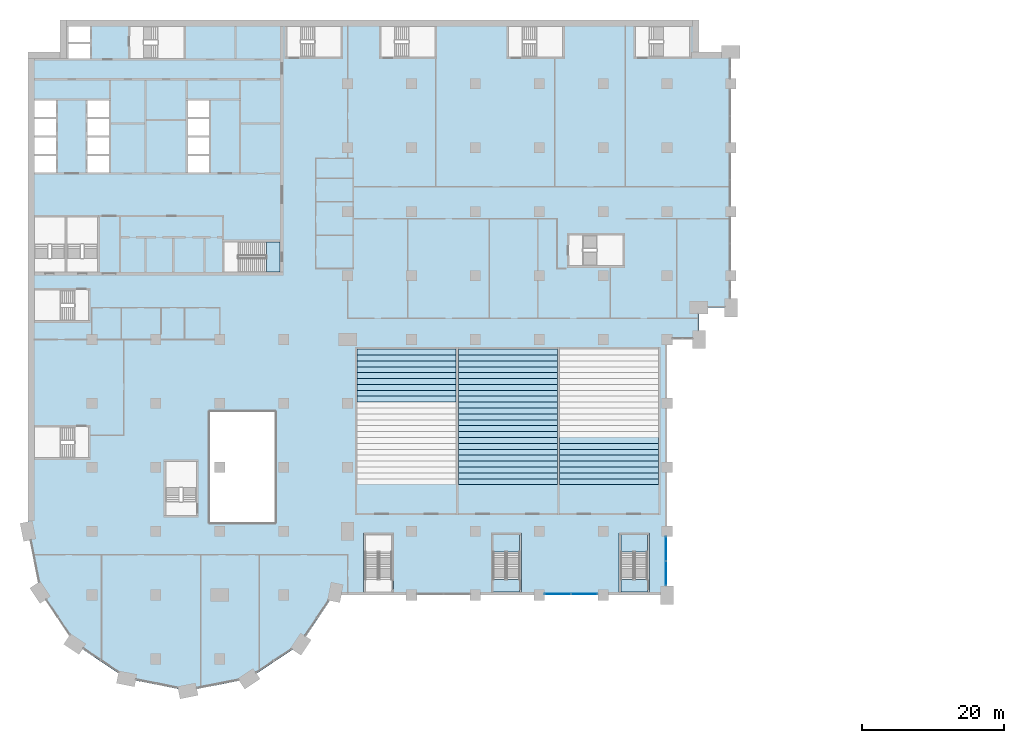
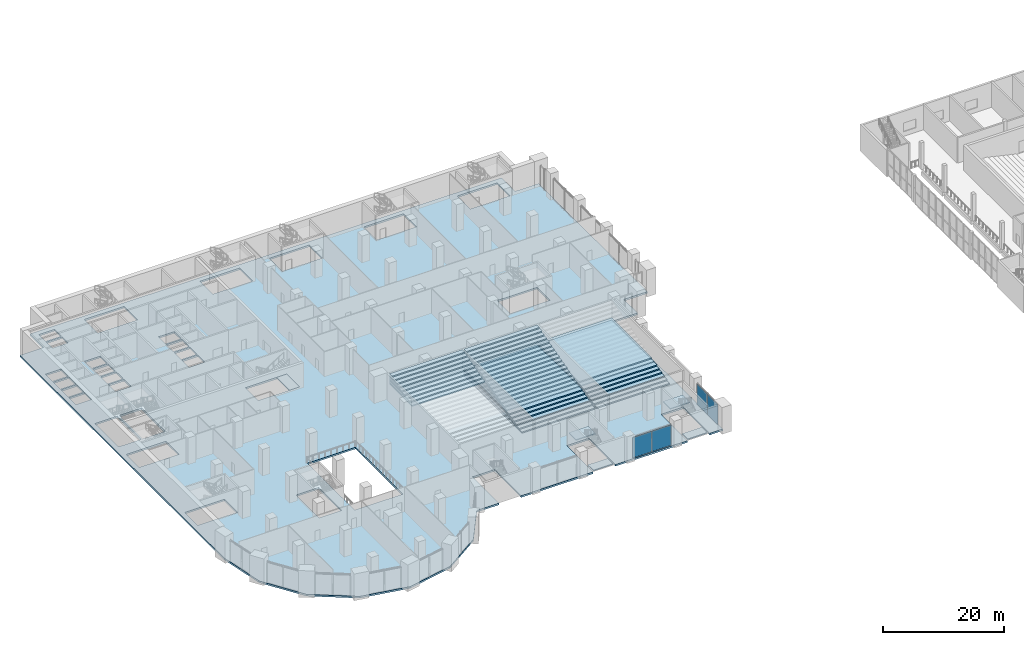
# One storey, part 11 of 44: 46 slabs, 4 plates, 4 elements without a shape of their own.
"""IFC4 building model written with IfcOpenShell, lengths in metres."""

from ifc_helpers import new_model, si_unit, direction, frame, origin, origin_2d, place, context, subcontext, project, spatial, polyline, rectangle, outline, extrude, material, layer, layer_set, type_object, element, aggregate, save


model = new_model("IFC4")

# Units and contexts
model_context = context("Model", 3, precision=1e-05, world=origin(), true_north=direction((0.0, 1.0)))
body_context = subcontext(model_context, "Body", "Model", "MODEL_VIEW")
ifc_project = project(units=[si_unit("LENGTHUNIT", "METRE"), si_unit("AREAUNIT", "SQUARE_METRE"), si_unit("VOLUMEUNIT", "CUBIC_METRE"), si_unit("PLANEANGLEUNIT", "RADIAN"), si_unit("MASSUNIT", "GRAM", prefix="KILO")], contexts=[model_context])

# Site, building, storey
site_placement = place(None, origin())
site = spatial("IfcSite", under=ifc_project, at=site_placement, CompositionType="ELEMENT")
building_placement = place(site_placement, origin())
building = spatial("IfcBuilding", under=site, at=building_placement, Name="Hunhe Ridgeline Campus", CompositionType="ELEMENT")
storey_placement = place(building_placement, frame((0.0, 0.0, 6.0)))
storey = spatial("IfcBuildingStorey", under=building, at=storey_placement, Name="L01", CompositionType="ELEMENT", Elevation=6.0)

# Curtain wall, plates
ifc_material_1 = material(Name="Aluminium and glass", Category="aluminium")
curtain_wall_type = type_object("IfcCurtainWallType", Name="Podium curtain wall CW-2", PredefinedType="NOTDEFINED", material=ifc_material_1)
curtain_wall_1_placement = place(storey_placement, origin())
curtain_wall_1 = element("IfcCurtainWall", 1, at=curtain_wall_1_placement, inside=storey, type_object=curtain_wall_type, Name="L01 podium curtain wall 19", PredefinedType="NOTDEFINED")
ifc_material_2 = material(Name="Clear glass", Category="glass")
ifc_layer_1 = layer(ifc_material_2, 0.028076171875)
ifc_layer_set_1 = layer_set([ifc_layer_1], Name="CW-2 clear glass panel 28")
plate_type = type_object("IfcPlateType", Name="CW-2 clear glass panel 28", PredefinedType="CURTAIN_PANEL", material=ifc_layer_set_1)
plate_1_placement = place(storey_placement, frame((74.639892578125, 18.14990234375, 0.06005859375), z_axis=(0.0, 0.0, 1.0), x_axis=(1.0, 0.0, 0.0)))
plate_1 = element("IfcPlate", 2, at=plate_1_placement, type_object=plate_type, Name="CW2 panel 1.1", PredefinedType="CURTAIN_PANEL", context=body_context, shape_type="SweptSolid", body=[
    extrude(rectangle(XDim=3.659912109375, YDim=0.028076171875, at=origin_2d()), origin(), (0.0, 0.0, 1.0), 4.1298828125),
])
plate_2_placement = place(storey_placement, frame((78.360107421875, 18.14990234375, 0.06005859375), z_axis=(0.0, 0.0, 1.0), x_axis=(1.0, 0.0, 0.0)))
plate_2 = element("IfcPlate", 3, at=plate_2_placement, type_object=plate_type, Name="CW2 panel 2.1", PredefinedType="CURTAIN_PANEL", context=body_context, shape_type="SweptSolid", body=[
    extrude(rectangle(XDim=3.659912109375, YDim=0.028076171875, at=origin_2d()), origin(), (0.0, 0.0, 1.0), 4.1298828125),
])
aggregate(curtain_wall_1, [plate_1, plate_2])

curtain_wall_2_placement = place(storey_placement, origin())
curtain_wall_2 = element("IfcCurtainWall", 4, at=curtain_wall_2_placement, inside=storey, type_object=curtain_wall_type, Name="L01 podium curtain wall 21", PredefinedType="NOTDEFINED")
plate_3_placement = place(storey_placement, frame((89.85009765625, 21.052490234375, 0.06005859375), z_axis=(0.0, 0.0, 1.0), x_axis=(0.0, 1.0, 0.0)))
plate_3 = element("IfcPlate", 5, at=plate_3_placement, type_object=plate_type, Name="CW2 panel 1.1", PredefinedType="CURTAIN_PANEL", context=body_context, shape_type="SweptSolid", body=[
    extrude(rectangle(XDim=3.385009765625, YDim=0.028076171875, at=origin_2d()), origin(), (0.0, 0.0, 1.0), 4.1298828125),
])
plate_4_placement = place(storey_placement, frame((89.85009765625, 24.49755859375, 0.06005859375), z_axis=(0.0, 0.0, 1.0), x_axis=(0.0, 1.0, 0.0)))
plate_4 = element("IfcPlate", 6, at=plate_4_placement, type_object=plate_type, Name="CW2 panel 2.1", PredefinedType="CURTAIN_PANEL", context=body_context, shape_type="SweptSolid", body=[
    extrude(rectangle(XDim=3.385009765625, YDim=0.028076171875, at=origin_2d()), origin(), (0.0, 0.0, 1.0), 4.1298828125),
])
aggregate(curtain_wall_2, [plate_3, plate_4])

# Slab
ifc_material_3 = material(Name="Concrete C40", Category="concrete")
ifc_layer_2 = layer(ifc_material_3, 0.35009765625)
ifc_layer_set_2 = layer_set([ifc_layer_2], Name="Podium floor slab 350 C40")
slab_type_1 = type_object("IfcSlabType", Name="Podium floor slab 350 C40", PredefinedType="FLOOR", material=ifc_layer_set_2)
slab_1_placement = place(storey_placement, frame((0.0, 0.0, -0.35009765625)))
element("IfcSlab", 7, at=slab_1_placement, inside=storey, type_object=slab_type_1, Name="L01 floor slab 1", PredefinedType="FLOOR", context=body_context, shape_type="SweptSolid", body=[
    extrude(outline(polyline([(90.0, 18.0), (90.0, 54.0), (94.5, 54.0), (94.5, 58.5), (99.0, 58.5), (99.0, 94.5), (94.5, 94.5), (94.5, 99.0), (4.5, 99.0), (4.5, 94.5), (0.0, 94.5), (0.0, 27.0), (1.712646484375, 18.3896484375), (6.590087890625, 11.090087890625), (13.8896484375, 6.212646484375), (22.5, 4.5), (31.1103515625, 6.212646484375), (38.409912109375, 11.090087890625), (43.027099609375, 18.0), (47.25, 18.0), (47.25, 26.75), (51.5, 26.75), (51.5, 18.0), (65.25, 18.0), (65.25, 26.75), (69.5, 26.75), (69.5, 18.0), (83.25, 18.0), (83.25, 26.75), (87.5, 26.75), (87.5, 18.0), (90.0, 18.0)]), holes=[polyline([(0.89990234375, 41.64990234375), (0.89990234375, 37.35009765625), (8.5, 37.35009765625), (8.5, 41.64990234375), (0.89990234375, 41.64990234375)]), polyline([(8.5, 60.949951171875), (0.89990234375, 60.949951171875), (0.89990234375, 56.64990234375), (8.5, 56.64990234375), (8.5, 60.949951171875)]), polyline([(5.199951171875, 63.5), (5.199951171875, 71.25), (0.89990234375, 71.25), (0.89990234375, 63.5), (5.199951171875, 63.5)]), polyline([(9.800048828125, 63.5), (9.800048828125, 71.25), (5.5, 71.25), (5.5, 63.5), (9.800048828125, 63.5)]), polyline([(0.89990234375, 77.550048828125), (3.89990234375, 77.550048828125), (3.89990234375, 79.85009765625), (0.89990234375, 79.85009765625), (0.89990234375, 77.550048828125)]), polyline([(8.39990234375, 77.550048828125), (11.39990234375, 77.550048828125), (11.39990234375, 79.85009765625), (8.39990234375, 79.85009765625), (8.39990234375, 77.550048828125)]), polyline([(0.89990234375, 80.14990234375), (3.89990234375, 80.14990234375), (3.89990234375, 82.449951171875), (0.89990234375, 82.449951171875), (0.89990234375, 80.14990234375)]), polyline([(8.39990234375, 80.14990234375), (11.39990234375, 80.14990234375), (11.39990234375, 82.449951171875), (8.39990234375, 82.449951171875), (8.39990234375, 80.14990234375)]), polyline([(0.89990234375, 82.75), (3.89990234375, 82.75), (3.89990234375, 85.050048828125), (0.89990234375, 85.050048828125), (0.89990234375, 82.75)]), polyline([(8.39990234375, 82.75), (11.39990234375, 82.75), (11.39990234375, 85.050048828125), (8.39990234375, 85.050048828125), (8.39990234375, 82.75)]), polyline([(0.89990234375, 85.35009765625), (3.89990234375, 85.35009765625), (3.89990234375, 87.64990234375), (0.89990234375, 87.64990234375), (0.89990234375, 85.35009765625)]), polyline([(8.39990234375, 85.35009765625), (11.39990234375, 85.35009765625), (11.39990234375, 87.64990234375), (8.39990234375, 87.64990234375), (8.39990234375, 85.35009765625)]), polyline([(5.699951171875, 93.60009765625), (8.699951171875, 93.60009765625), (8.699951171875, 95.60009765625), (5.699951171875, 95.60009765625), (5.699951171875, 93.60009765625)]), polyline([(14.35009765625, 93.60009765625), (21.949951171875, 93.60009765625), (21.949951171875, 98.10009765625), (14.35009765625, 98.10009765625), (14.35009765625, 93.60009765625)]), polyline([(5.699951171875, 95.89990234375), (8.699951171875, 95.89990234375), (8.699951171875, 98.10009765625), (5.699951171875, 98.10009765625), (5.699951171875, 95.89990234375)]), polyline([(23.699951171875, 29.199951171875), (23.699951171875, 36.800048828125), (19.39990234375, 36.800048828125), (19.39990234375, 29.199951171875), (23.699951171875, 29.199951171875)]), polyline([(25.60009765625, 28.199951171875), (34.800048828125, 28.199951171875), (34.800048828125, 43.800048828125), (25.60009765625, 43.800048828125), (25.60009765625, 28.199951171875)]), polyline([(35.5, 67.75), (27.60009765625, 67.75), (27.60009765625, 63.5), (35.5, 63.5), (35.5, 67.75)]), polyline([(76.199951171875, 64.39990234375), (83.800048828125, 64.39990234375), (83.800048828125, 68.699951171875), (76.199951171875, 68.699951171875), (76.199951171875, 64.39990234375)]), polyline([(22.5, 77.550048828125), (25.5, 77.550048828125), (25.5, 79.85009765625), (22.5, 79.85009765625), (22.5, 77.550048828125)]), polyline([(22.5, 80.14990234375), (25.5, 80.14990234375), (25.5, 82.449951171875), (22.5, 82.449951171875), (22.5, 80.14990234375)]), polyline([(22.5, 82.75), (25.5, 82.75), (25.5, 85.050048828125), (22.5, 85.050048828125), (22.5, 82.75)]), polyline([(22.5, 85.35009765625), (25.5, 85.35009765625), (25.5, 87.64990234375), (22.5, 87.64990234375), (22.5, 85.35009765625)]), polyline([(36.449951171875, 93.800048828125), (44.050048828125, 93.800048828125), (44.050048828125, 98.10009765625), (36.449951171875, 98.10009765625), (36.449951171875, 93.800048828125)]), polyline([(49.699951171875, 93.800048828125), (57.300048828125, 93.800048828125), (57.300048828125, 98.10009765625), (49.699951171875, 98.10009765625), (49.699951171875, 93.800048828125)]), polyline([(67.699951171875, 93.800048828125), (75.300048828125, 93.800048828125), (75.300048828125, 98.10009765625), (67.699951171875, 98.10009765625), (67.699951171875, 93.800048828125)]), polyline([(85.550048828125, 93.800048828125), (93.14990234375, 93.800048828125), (93.14990234375, 98.10009765625), (85.550048828125, 98.10009765625), (85.550048828125, 93.800048828125)])]), origin(), (0.0, 0.0, 1.0), 0.35009765625),
])

# Stair, slabs
stair_type = type_object("IfcStairType", Name="Podium exit stair 1800", PredefinedType="HALF_TURN_STAIR", material=ifc_material_3)
stair_1_placement = place(storey_placement, origin())
stair_1 = element("IfcStair", 8, at=stair_1_placement, inside=storey, type_object=stair_type, Name="L01 podium stair PS2", PredefinedType="HALF_TURN_STAIR")
ifc_layer_3 = layer(ifc_material_3, 0.199951171875)
ifc_layer_set_3 = layer_set([ifc_layer_3], Name="Podium stair landing 200 C40")
slab_type_2 = type_object("IfcSlabType", Name="Podium stair landing 200 C40", PredefinedType="LANDING", material=ifc_layer_set_3)
slab_2_placement = place(storey_placement, frame((0.0, 0.0, 2.5)))
slab_2 = element("IfcSlab", 9, at=slab_2_placement, type_object=slab_type_2, Name="PS2 landing 1", PredefinedType="LANDING", context=body_context, shape_type="SweptSolid", body=[
    extrude(outline(polyline([(69.25, 24.10009765625), (69.25, 26.5), (65.5, 26.5), (65.5, 24.10009765625), (69.25, 24.10009765625)])), origin(), (0.0, 0.0, 1.0), 0.199951171875),
])
slab_3_placement = place(storey_placement, frame((0.0, 0.0, -0.199951171875)))
slab_3 = element("IfcSlab", 10, at=slab_3_placement, type_object=slab_type_2, Name="PS2 landing 2", PredefinedType="LANDING", context=body_context, shape_type="SweptSolid", body=[
    extrude(outline(polyline([(65.5, 18.39990234375), (69.25, 18.39990234375), (69.25, 20.199951171875), (65.5, 20.199951171875), (65.5, 18.39990234375)])), origin(), (0.0, 0.0, 1.0), 0.199951171875),
])
aggregate(stair_1, [slab_2, slab_3])

stair_2_placement = place(storey_placement, origin())
stair_2 = element("IfcStair", 11, at=stair_2_placement, inside=storey, type_object=stair_type, Name="L01 podium stair PS3", PredefinedType="HALF_TURN_STAIR")
slab_4_placement = place(storey_placement, frame((0.0, 0.0, 2.5)))
slab_4 = element("IfcSlab", 12, at=slab_4_placement, type_object=slab_type_2, Name="PS3 landing 1", PredefinedType="LANDING", context=body_context, shape_type="SweptSolid", body=[
    extrude(outline(polyline([(87.25, 24.10009765625), (87.25, 26.5), (83.5, 26.5), (83.5, 24.10009765625), (87.25, 24.10009765625)])), origin(), (0.0, 0.0, 1.0), 0.199951171875),
])
slab_5_placement = place(storey_placement, frame((0.0, 0.0, -0.199951171875)))
slab_5 = element("IfcSlab", 13, at=slab_5_placement, type_object=slab_type_2, Name="PS3 landing 2", PredefinedType="LANDING", context=body_context, shape_type="SweptSolid", body=[
    extrude(outline(polyline([(83.5, 18.39990234375), (87.25, 18.39990234375), (87.25, 20.199951171875), (83.5, 20.199951171875), (83.5, 18.39990234375)])), origin(), (0.0, 0.0, 1.0), 0.199951171875),
])
aggregate(stair_2, [slab_4, slab_5])

# Slabs
ifc_layer_4 = layer(ifc_material_3, 0.235107421875)
ifc_layer_set_4 = layer_set([ifc_layer_4], Name="Raked seating tier platform C40")
slab_type_3 = type_object("IfcSlabType", Name="Raked seating tier platform C40", PredefinedType="FLOOR", material=ifc_layer_set_4)
slab_6_placement = place(storey_placement, frame((0.0, 0.0, 3.287109375)))
element("IfcSlab", 14, at=slab_6_placement, inside=storey, type_object=slab_type_3, Name="Lecture Hall A seating tier platform 15", PredefinedType="FLOOR", context=body_context, shape_type="SweptSolid", body=[
    extrude(outline(polyline([(46.35009765625, 45.176025390625), (60.300048828125, 45.176025390625), (60.300048828125, 52.64990234375), (46.35009765625, 52.64990234375), (46.35009765625, 45.176025390625)])), origin(), (0.0, 0.0, 1.0), 0.234619140625),
])
slab_7_placement = place(storey_placement, frame((0.0, 0.0, 3.521728515625)))
element("IfcSlab", 15, at=slab_7_placement, inside=storey, type_object=slab_type_3, Name="Lecture Hall A seating tier platform 16", PredefinedType="FLOOR", context=body_context, shape_type="SweptSolid", body=[
    extrude(outline(polyline([(46.35009765625, 46.006591796875), (60.300048828125, 46.006591796875), (60.300048828125, 52.64990234375), (46.35009765625, 52.64990234375), (46.35009765625, 46.006591796875)])), origin(), (0.0, 0.0, 1.0), 0.23486328125),
])
slab_8_placement = place(storey_placement, frame((0.0, 0.0, 3.756591796875)))
element("IfcSlab", 16, at=slab_8_placement, inside=storey, type_object=slab_type_3, Name="Lecture Hall A seating tier platform 17", PredefinedType="FLOOR", context=body_context, shape_type="SweptSolid", body=[
    extrude(outline(polyline([(46.35009765625, 46.8369140625), (60.300048828125, 46.8369140625), (60.300048828125, 52.64990234375), (46.35009765625, 52.64990234375), (46.35009765625, 46.8369140625)])), origin(), (0.0, 0.0, 1.0), 0.234619140625),
])
slab_9_placement = place(storey_placement, frame((0.0, 0.0, 3.9912109375)))
element("IfcSlab", 17, at=slab_9_placement, inside=storey, type_object=slab_type_3, Name="Lecture Hall A seating tier platform 18", PredefinedType="FLOOR", context=body_context, shape_type="SweptSolid", body=[
    extrude(outline(polyline([(46.35009765625, 47.66748046875), (60.300048828125, 47.66748046875), (60.300048828125, 52.64990234375), (46.35009765625, 52.64990234375), (46.35009765625, 47.66748046875)])), origin(), (0.0, 0.0, 1.0), 0.23486328125),
])
slab_10_placement = place(storey_placement, frame((0.0, 0.0, 4.22607421875)))
element("IfcSlab", 18, at=slab_10_placement, inside=storey, type_object=slab_type_3, Name="Lecture Hall A seating tier platform 19", PredefinedType="FLOOR", context=body_context, shape_type="SweptSolid", body=[
    extrude(outline(polyline([(46.35009765625, 48.497802734375), (60.300048828125, 48.497802734375), (60.300048828125, 52.64990234375), (46.35009765625, 52.64990234375), (46.35009765625, 48.497802734375)])), origin(), (0.0, 0.0, 1.0), 0.23486328125),
])
slab_11_placement = place(storey_placement, frame((0.0, 0.0, 4.4609375)))
element("IfcSlab", 19, at=slab_11_placement, inside=storey, type_object=slab_type_3, Name="Lecture Hall A seating tier platform 20", PredefinedType="FLOOR", context=body_context, shape_type="SweptSolid", body=[
    extrude(outline(polyline([(46.35009765625, 49.328369140625), (60.300048828125, 49.328369140625), (60.300048828125, 52.64990234375), (46.35009765625, 52.64990234375), (46.35009765625, 49.328369140625)])), origin(), (0.0, 0.0, 1.0), 0.23486328125),
])
slab_12_placement = place(storey_placement, frame((0.0, 0.0, 4.69580078125)))
element("IfcSlab", 20, at=slab_12_placement, inside=storey, type_object=slab_type_3, Name="Lecture Hall A seating tier platform 21", PredefinedType="FLOOR", context=body_context, shape_type="SweptSolid", body=[
    extrude(outline(polyline([(46.35009765625, 50.15869140625), (60.300048828125, 50.15869140625), (60.300048828125, 52.64990234375), (46.35009765625, 52.64990234375), (46.35009765625, 50.15869140625)])), origin(), (0.0, 0.0, 1.0), 0.234619140625),
])
slab_13_placement = place(storey_placement, frame((0.0, 0.0, 4.930419921875)))
element("IfcSlab", 21, at=slab_13_placement, inside=storey, type_object=slab_type_3, Name="Lecture Hall A seating tier platform 22", PredefinedType="FLOOR", context=body_context, shape_type="SweptSolid", body=[
    extrude(outline(polyline([(46.35009765625, 50.989013671875), (60.300048828125, 50.989013671875), (60.300048828125, 52.64990234375), (46.35009765625, 52.64990234375), (46.35009765625, 50.989013671875)])), origin(), (0.0, 0.0, 1.0), 0.23486328125),
])
slab_14_placement = place(storey_placement, frame((0.0, 0.0, 5.165283203125)))
element("IfcSlab", 22, at=slab_14_placement, inside=storey, type_object=slab_type_3, Name="Lecture Hall A seating tier platform 23", PredefinedType="FLOOR", context=body_context, shape_type="SweptSolid", body=[
    extrude(outline(polyline([(46.35009765625, 51.819580078125), (60.300048828125, 51.819580078125), (60.300048828125, 52.64990234375), (46.35009765625, 52.64990234375), (46.35009765625, 51.819580078125)])), origin(), (0.0, 0.0, 1.0), 0.234619140625),
])
slab_15_placement = place(storey_placement, origin())
element("IfcSlab", 23, at=slab_15_placement, inside=storey, type_object=slab_type_3, Name="Lecture Hall B seating tier platform 1", PredefinedType="FLOOR", context=body_context, shape_type="SweptSolid", body=[
    extrude(outline(polyline([(60.60009765625, 33.550048828125), (74.550048828125, 33.550048828125), (74.550048828125, 52.64990234375), (60.60009765625, 52.64990234375), (60.60009765625, 33.550048828125)])), origin(), (0.0, 0.0, 1.0), 0.23486328125),
])
slab_16_placement = place(storey_placement, frame((0.0, 0.0, 0.23486328125)))
element("IfcSlab", 24, at=slab_16_placement, inside=storey, type_object=slab_type_3, Name="Lecture Hall B seating tier platform 2", PredefinedType="FLOOR", context=body_context, shape_type="SweptSolid", body=[
    extrude(outline(polyline([(60.60009765625, 34.38037109375), (74.550048828125, 34.38037109375), (74.550048828125, 52.64990234375), (60.60009765625, 52.64990234375), (60.60009765625, 34.38037109375)])), origin(), (0.0, 0.0, 1.0), 0.234619140625),
])
slab_17_placement = place(storey_placement, frame((0.0, 0.0, 0.469482421875)))
element("IfcSlab", 25, at=slab_17_placement, inside=storey, type_object=slab_type_3, Name="Lecture Hall B seating tier platform 3", PredefinedType="FLOOR", context=body_context, shape_type="SweptSolid", body=[
    extrude(outline(polyline([(60.60009765625, 35.2109375), (74.550048828125, 35.2109375), (74.550048828125, 52.64990234375), (60.60009765625, 52.64990234375), (60.60009765625, 35.2109375)])), origin(), (0.0, 0.0, 1.0), 0.23486328125),
])
slab_18_placement = place(storey_placement, frame((0.0, 0.0, 0.704345703125)))
element("IfcSlab", 26, at=slab_18_placement, inside=storey, type_object=slab_type_3, Name="Lecture Hall B seating tier platform 4", PredefinedType="FLOOR", context=body_context, shape_type="SweptSolid", body=[
    extrude(outline(polyline([(60.60009765625, 36.041259765625), (74.550048828125, 36.041259765625), (74.550048828125, 52.64990234375), (60.60009765625, 52.64990234375), (60.60009765625, 36.041259765625)])), origin(), (0.0, 0.0, 1.0), 0.23486328125),
])
slab_19_placement = place(storey_placement, frame((0.0, 0.0, 0.939208984375)))
element("IfcSlab", 27, at=slab_19_placement, inside=storey, type_object=slab_type_3, Name="Lecture Hall B seating tier platform 5", PredefinedType="FLOOR", context=body_context, shape_type="SweptSolid", body=[
    extrude(outline(polyline([(60.60009765625, 36.87158203125), (74.550048828125, 36.87158203125), (74.550048828125, 52.64990234375), (60.60009765625, 52.64990234375), (60.60009765625, 36.87158203125)])), origin(), (0.0, 0.0, 1.0), 0.234619140625),
])
slab_20_placement = place(storey_placement, frame((0.0, 0.0, 1.173828125)))
element("IfcSlab", 28, at=slab_20_placement, inside=storey, type_object=slab_type_3, Name="Lecture Hall B seating tier platform 6", PredefinedType="FLOOR", context=body_context, shape_type="SweptSolid", body=[
    extrude(outline(polyline([(60.60009765625, 37.7021484375), (74.550048828125, 37.7021484375), (74.550048828125, 52.64990234375), (60.60009765625, 52.64990234375), (60.60009765625, 37.7021484375)])), origin(), (0.0, 0.0, 1.0), 0.23486328125),
])
slab_21_placement = place(storey_placement, frame((0.0, 0.0, 1.40869140625)))
element("IfcSlab", 29, at=slab_21_placement, inside=storey, type_object=slab_type_3, Name="Lecture Hall B seating tier platform 7", PredefinedType="FLOOR", context=body_context, shape_type="SweptSolid", body=[
    extrude(outline(polyline([(60.60009765625, 38.53271484375), (74.550048828125, 38.53271484375), (74.550048828125, 52.64990234375), (60.60009765625, 52.64990234375), (60.60009765625, 38.53271484375)])), origin(), (0.0, 0.0, 1.0), 0.23486328125),
])
slab_22_placement = place(storey_placement, frame((0.0, 0.0, 1.6435546875)))
element("IfcSlab", 30, at=slab_22_placement, inside=storey, type_object=slab_type_3, Name="Lecture Hall B seating tier platform 8", PredefinedType="FLOOR", context=body_context, shape_type="SweptSolid", body=[
    extrude(outline(polyline([(60.60009765625, 39.363037109375), (74.550048828125, 39.363037109375), (74.550048828125, 52.64990234375), (60.60009765625, 52.64990234375), (60.60009765625, 39.363037109375)])), origin(), (0.0, 0.0, 1.0), 0.23486328125),
])
slab_23_placement = place(storey_placement, frame((0.0, 0.0, 1.87841796875)))
element("IfcSlab", 31, at=slab_23_placement, inside=storey, type_object=slab_type_3, Name="Lecture Hall B seating tier platform 9", PredefinedType="FLOOR", context=body_context, shape_type="SweptSolid", body=[
    extrude(outline(polyline([(60.60009765625, 40.193603515625), (74.550048828125, 40.193603515625), (74.550048828125, 52.64990234375), (60.60009765625, 52.64990234375), (60.60009765625, 40.193603515625)])), origin(), (0.0, 0.0, 1.0), 0.234619140625),
])
slab_24_placement = place(storey_placement, frame((0.0, 0.0, 2.113037109375)))
element("IfcSlab", 32, at=slab_24_placement, inside=storey, type_object=slab_type_3, Name="Lecture Hall B seating tier platform 10", PredefinedType="FLOOR", context=body_context, shape_type="SweptSolid", body=[
    extrude(outline(polyline([(60.60009765625, 41.02392578125), (74.550048828125, 41.02392578125), (74.550048828125, 52.64990234375), (60.60009765625, 52.64990234375), (60.60009765625, 41.02392578125)])), origin(), (0.0, 0.0, 1.0), 0.23486328125),
])
slab_25_placement = place(storey_placement, frame((0.0, 0.0, 2.347900390625)))
element("IfcSlab", 33, at=slab_25_placement, inside=storey, type_object=slab_type_3, Name="Lecture Hall B seating tier platform 11", PredefinedType="FLOOR", context=body_context, shape_type="SweptSolid", body=[
    extrude(outline(polyline([(60.60009765625, 41.854248046875), (74.550048828125, 41.854248046875), (74.550048828125, 52.64990234375), (60.60009765625, 52.64990234375), (60.60009765625, 41.854248046875)])), origin(), (0.0, 0.0, 1.0), 0.234619140625),
])
slab_26_placement = place(storey_placement, frame((0.0, 0.0, 2.58251953125)))
element("IfcSlab", 34, at=slab_26_placement, inside=storey, type_object=slab_type_3, Name="Lecture Hall B seating tier platform 12", PredefinedType="FLOOR", context=body_context, shape_type="SweptSolid", body=[
    extrude(outline(polyline([(60.60009765625, 42.684814453125), (74.550048828125, 42.684814453125), (74.550048828125, 52.64990234375), (60.60009765625, 52.64990234375), (60.60009765625, 42.684814453125)])), origin(), (0.0, 0.0, 1.0), 0.23486328125),
])
slab_27_placement = place(storey_placement, frame((0.0, 0.0, 2.8173828125)))
element("IfcSlab", 35, at=slab_27_placement, inside=storey, type_object=slab_type_3, Name="Lecture Hall B seating tier platform 13", PredefinedType="FLOOR", context=body_context, shape_type="SweptSolid", body=[
    extrude(outline(polyline([(60.60009765625, 43.51513671875), (74.550048828125, 43.51513671875), (74.550048828125, 52.64990234375), (60.60009765625, 52.64990234375), (60.60009765625, 43.51513671875)])), origin(), (0.0, 0.0, 1.0), 0.23486328125),
])
slab_28_placement = place(storey_placement, frame((0.0, 0.0, 3.05224609375)))
element("IfcSlab", 36, at=slab_28_placement, inside=storey, type_object=slab_type_3, Name="Lecture Hall B seating tier platform 14", PredefinedType="FLOOR", context=body_context, shape_type="SweptSolid", body=[
    extrude(outline(polyline([(60.60009765625, 44.345703125), (74.550048828125, 44.345703125), (74.550048828125, 52.64990234375), (60.60009765625, 52.64990234375), (60.60009765625, 44.345703125)])), origin(), (0.0, 0.0, 1.0), 0.23486328125),
])
slab_29_placement = place(storey_placement, frame((0.0, 0.0, 3.287109375)))
element("IfcSlab", 37, at=slab_29_placement, inside=storey, type_object=slab_type_3, Name="Lecture Hall B seating tier platform 15", PredefinedType="FLOOR", context=body_context, shape_type="SweptSolid", body=[
    extrude(outline(polyline([(60.60009765625, 45.176025390625), (74.550048828125, 45.176025390625), (74.550048828125, 52.64990234375), (60.60009765625, 52.64990234375), (60.60009765625, 45.176025390625)])), origin(), (0.0, 0.0, 1.0), 0.234619140625),
])
slab_30_placement = place(storey_placement, frame((0.0, 0.0, 3.521728515625)))
element("IfcSlab", 38, at=slab_30_placement, inside=storey, type_object=slab_type_3, Name="Lecture Hall B seating tier platform 16", PredefinedType="FLOOR", context=body_context, shape_type="SweptSolid", body=[
    extrude(outline(polyline([(60.60009765625, 46.006591796875), (74.550048828125, 46.006591796875), (74.550048828125, 52.64990234375), (60.60009765625, 52.64990234375), (60.60009765625, 46.006591796875)])), origin(), (0.0, 0.0, 1.0), 0.23486328125),
])
slab_31_placement = place(storey_placement, frame((0.0, 0.0, 3.756591796875)))
element("IfcSlab", 39, at=slab_31_placement, inside=storey, type_object=slab_type_3, Name="Lecture Hall B seating tier platform 17", PredefinedType="FLOOR", context=body_context, shape_type="SweptSolid", body=[
    extrude(outline(polyline([(60.60009765625, 46.8369140625), (74.550048828125, 46.8369140625), (74.550048828125, 52.64990234375), (60.60009765625, 52.64990234375), (60.60009765625, 46.8369140625)])), origin(), (0.0, 0.0, 1.0), 0.234619140625),
])
slab_32_placement = place(storey_placement, frame((0.0, 0.0, 3.9912109375)))
element("IfcSlab", 40, at=slab_32_placement, inside=storey, type_object=slab_type_3, Name="Lecture Hall B seating tier platform 18", PredefinedType="FLOOR", context=body_context, shape_type="SweptSolid", body=[
    extrude(outline(polyline([(60.60009765625, 47.66748046875), (74.550048828125, 47.66748046875), (74.550048828125, 52.64990234375), (60.60009765625, 52.64990234375), (60.60009765625, 47.66748046875)])), origin(), (0.0, 0.0, 1.0), 0.23486328125),
])
slab_33_placement = place(storey_placement, frame((0.0, 0.0, 4.22607421875)))
element("IfcSlab", 41, at=slab_33_placement, inside=storey, type_object=slab_type_3, Name="Lecture Hall B seating tier platform 19", PredefinedType="FLOOR", context=body_context, shape_type="SweptSolid", body=[
    extrude(outline(polyline([(60.60009765625, 48.497802734375), (74.550048828125, 48.497802734375), (74.550048828125, 52.64990234375), (60.60009765625, 52.64990234375), (60.60009765625, 48.497802734375)])), origin(), (0.0, 0.0, 1.0), 0.23486328125),
])
slab_34_placement = place(storey_placement, frame((0.0, 0.0, 4.4609375)))
element("IfcSlab", 42, at=slab_34_placement, inside=storey, type_object=slab_type_3, Name="Lecture Hall B seating tier platform 20", PredefinedType="FLOOR", context=body_context, shape_type="SweptSolid", body=[
    extrude(outline(polyline([(60.60009765625, 49.328369140625), (74.550048828125, 49.328369140625), (74.550048828125, 52.64990234375), (60.60009765625, 52.64990234375), (60.60009765625, 49.328369140625)])), origin(), (0.0, 0.0, 1.0), 0.23486328125),
])
slab_35_placement = place(storey_placement, frame((0.0, 0.0, 4.69580078125)))
element("IfcSlab", 43, at=slab_35_placement, inside=storey, type_object=slab_type_3, Name="Lecture Hall B seating tier platform 21", PredefinedType="FLOOR", context=body_context, shape_type="SweptSolid", body=[
    extrude(outline(polyline([(60.60009765625, 50.15869140625), (74.550048828125, 50.15869140625), (74.550048828125, 52.64990234375), (60.60009765625, 52.64990234375), (60.60009765625, 50.15869140625)])), origin(), (0.0, 0.0, 1.0), 0.234619140625),
])
slab_36_placement = place(storey_placement, frame((0.0, 0.0, 4.930419921875)))
element("IfcSlab", 44, at=slab_36_placement, inside=storey, type_object=slab_type_3, Name="Lecture Hall B seating tier platform 22", PredefinedType="FLOOR", context=body_context, shape_type="SweptSolid", body=[
    extrude(outline(polyline([(60.60009765625, 50.989013671875), (74.550048828125, 50.989013671875), (74.550048828125, 52.64990234375), (60.60009765625, 52.64990234375), (60.60009765625, 50.989013671875)])), origin(), (0.0, 0.0, 1.0), 0.23486328125),
])
slab_37_placement = place(storey_placement, frame((0.0, 0.0, 5.165283203125)))
element("IfcSlab", 45, at=slab_37_placement, inside=storey, type_object=slab_type_3, Name="Lecture Hall B seating tier platform 23", PredefinedType="FLOOR", context=body_context, shape_type="SweptSolid", body=[
    extrude(outline(polyline([(60.60009765625, 51.819580078125), (74.550048828125, 51.819580078125), (74.550048828125, 52.64990234375), (60.60009765625, 52.64990234375), (60.60009765625, 51.819580078125)])), origin(), (0.0, 0.0, 1.0), 0.234619140625),
])
slab_38_placement = place(storey_placement, origin())
element("IfcSlab", 46, at=slab_38_placement, inside=storey, type_object=slab_type_3, Name="Lecture Hall C seating tier platform 1", PredefinedType="FLOOR", context=body_context, shape_type="SweptSolid", body=[
    extrude(outline(polyline([(74.85009765625, 33.550048828125), (88.800048828125, 33.550048828125), (88.800048828125, 52.64990234375), (74.85009765625, 52.64990234375), (74.85009765625, 33.550048828125)])), origin(), (0.0, 0.0, 1.0), 0.23486328125),
])
slab_39_placement = place(storey_placement, frame((0.0, 0.0, 0.23486328125)))
element("IfcSlab", 47, at=slab_39_placement, inside=storey, type_object=slab_type_3, Name="Lecture Hall C seating tier platform 2", PredefinedType="FLOOR", context=body_context, shape_type="SweptSolid", body=[
    extrude(outline(polyline([(74.85009765625, 34.38037109375), (88.800048828125, 34.38037109375), (88.800048828125, 52.64990234375), (74.85009765625, 52.64990234375), (74.85009765625, 34.38037109375)])), origin(), (0.0, 0.0, 1.0), 0.234619140625),
])
slab_40_placement = place(storey_placement, frame((0.0, 0.0, 0.469482421875)))
element("IfcSlab", 48, at=slab_40_placement, inside=storey, type_object=slab_type_3, Name="Lecture Hall C seating tier platform 3", PredefinedType="FLOOR", context=body_context, shape_type="SweptSolid", body=[
    extrude(outline(polyline([(74.85009765625, 35.2109375), (88.800048828125, 35.2109375), (88.800048828125, 52.64990234375), (74.85009765625, 52.64990234375), (74.85009765625, 35.2109375)])), origin(), (0.0, 0.0, 1.0), 0.23486328125),
])
slab_41_placement = place(storey_placement, frame((0.0, 0.0, 0.704345703125)))
element("IfcSlab", 49, at=slab_41_placement, inside=storey, type_object=slab_type_3, Name="Lecture Hall C seating tier platform 4", PredefinedType="FLOOR", context=body_context, shape_type="SweptSolid", body=[
    extrude(outline(polyline([(74.85009765625, 36.041259765625), (88.800048828125, 36.041259765625), (88.800048828125, 52.64990234375), (74.85009765625, 52.64990234375), (74.85009765625, 36.041259765625)])), origin(), (0.0, 0.0, 1.0), 0.23486328125),
])
slab_42_placement = place(storey_placement, frame((0.0, 0.0, 0.939208984375)))
element("IfcSlab", 50, at=slab_42_placement, inside=storey, type_object=slab_type_3, Name="Lecture Hall C seating tier platform 5", PredefinedType="FLOOR", context=body_context, shape_type="SweptSolid", body=[
    extrude(outline(polyline([(74.85009765625, 36.87158203125), (88.800048828125, 36.87158203125), (88.800048828125, 52.64990234375), (74.85009765625, 52.64990234375), (74.85009765625, 36.87158203125)])), origin(), (0.0, 0.0, 1.0), 0.234619140625),
])
slab_43_placement = place(storey_placement, frame((0.0, 0.0, 1.173828125)))
element("IfcSlab", 51, at=slab_43_placement, inside=storey, type_object=slab_type_3, Name="Lecture Hall C seating tier platform 6", PredefinedType="FLOOR", context=body_context, shape_type="SweptSolid", body=[
    extrude(outline(polyline([(74.85009765625, 37.7021484375), (88.800048828125, 37.7021484375), (88.800048828125, 52.64990234375), (74.85009765625, 52.64990234375), (74.85009765625, 37.7021484375)])), origin(), (0.0, 0.0, 1.0), 0.23486328125),
])
slab_44_placement = place(storey_placement, frame((0.0, 0.0, 1.40869140625)))
element("IfcSlab", 52, at=slab_44_placement, inside=storey, type_object=slab_type_3, Name="Lecture Hall C seating tier platform 7", PredefinedType="FLOOR", context=body_context, shape_type="SweptSolid", body=[
    extrude(outline(polyline([(74.85009765625, 38.53271484375), (88.800048828125, 38.53271484375), (88.800048828125, 52.64990234375), (74.85009765625, 52.64990234375), (74.85009765625, 38.53271484375)])), origin(), (0.0, 0.0, 1.0), 0.23486328125),
])
slab_45_placement = place(storey_placement, frame((0.0, 0.0, 1.6435546875)))
element("IfcSlab", 53, at=slab_45_placement, inside=storey, type_object=slab_type_3, Name="Lecture Hall C seating tier platform 8", PredefinedType="FLOOR", context=body_context, shape_type="SweptSolid", body=[
    extrude(outline(polyline([(74.85009765625, 39.363037109375), (88.800048828125, 39.363037109375), (88.800048828125, 52.64990234375), (74.85009765625, 52.64990234375), (74.85009765625, 39.363037109375)])), origin(), (0.0, 0.0, 1.0), 0.23486328125),
])
ifc_layer_5 = layer(ifc_material_3, 0.199951171875)
ifc_layer_set_5 = layer_set([ifc_layer_5], Name="Reinforced concrete stair landing 200 Concrete C40")
slab_type_4 = type_object("IfcSlabType", Name="Reinforced concrete stair landing 200 Concrete C40", PredefinedType="LANDING", material=ifc_layer_set_5)
slab_46_placement = place(storey_placement, frame((0.0, 0.0, -0.199951171875)))
element("IfcSlab", 54, at=slab_46_placement, inside=storey, type_object=slab_type_4, Name="L01 stair S2 floor landing", PredefinedType="LANDING", context=body_context, shape_type="SweptSolid", body=[
    extrude(outline(polyline([(35.5, 67.75), (33.550048828125, 67.75), (33.550048828125, 63.5), (35.5, 63.5), (35.5, 67.75)])), origin(), (0.0, 0.0, 1.0), 0.199951171875),
])

save(model, "model.ifc")
